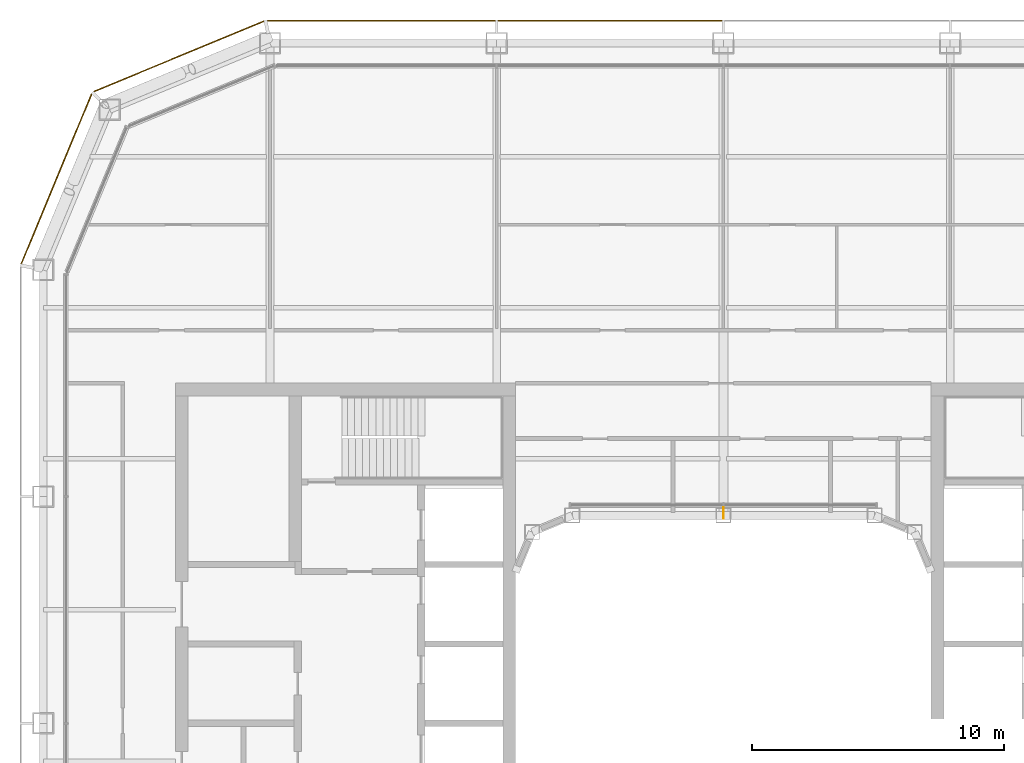
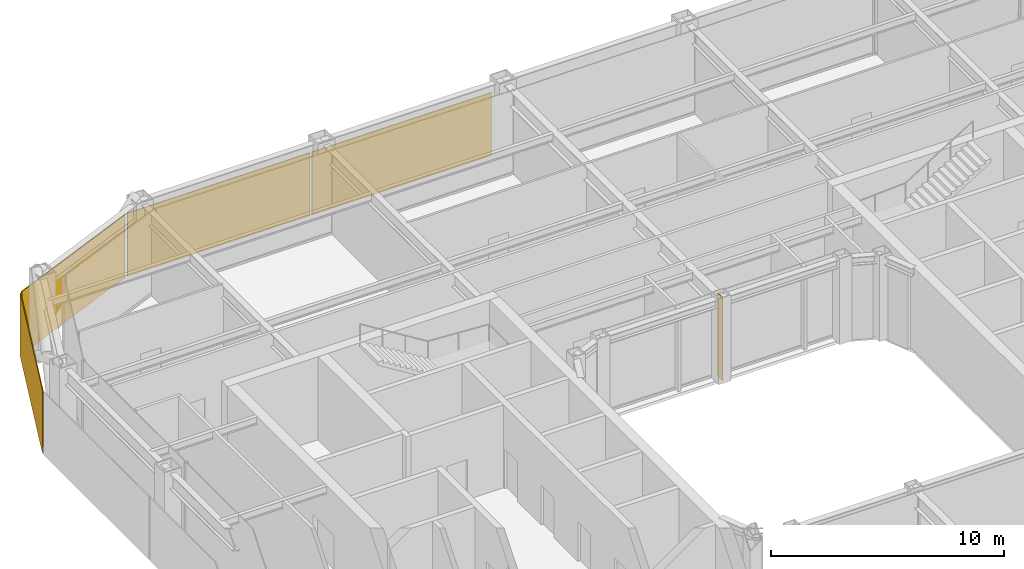
# One storey, part 18 of 19: 4 coverings, 1 shading device.
"""IFC4 building model written with IfcOpenShell, lengths in metres."""

from ifc_helpers import new_model, si_unit, direction, frame, origin, origin_2d, place, context, subcontext, project, spatial, rectangle, extrude, material, layer, layer_set, type_object, element, save


model = new_model("IFC4")

# Units and contexts
model_context = context("Model", 3, precision=1e-05, world=origin(), true_north=direction((0.0, 1.0)))
body_context = subcontext(model_context, "Body", "Model", "MODEL_VIEW")
ifc_project = project(units=[si_unit("LENGTHUNIT", "METRE"), si_unit("AREAUNIT", "SQUARE_METRE"), si_unit("VOLUMEUNIT", "CUBIC_METRE"), si_unit("PLANEANGLEUNIT", "RADIAN"), si_unit("MASSUNIT", "GRAM", prefix="KILO")], contexts=[model_context])

# Site, building, storey
site_placement = place(None, origin())
site = spatial("IfcSite", under=ifc_project, at=site_placement, CompositionType="ELEMENT")
building_placement = place(site_placement, origin())
building = spatial("IfcBuilding", under=site, at=building_placement, Name="Siwar Civic Tower", CompositionType="ELEMENT")
storey_placement = place(building_placement, frame((0.0, 0.0, 192.699951171875)))
storey = spatial("IfcBuildingStorey", under=building, at=storey_placement, Name="L41", CompositionType="ELEMENT", Elevation=192.699951171875)

# Shading device
ifc_material_1 = material(Name="Aluminium 6063-T6", Category="aluminium")
ifc_layer_1 = layer(ifc_material_1, 0.02001953125)
ifc_layer_set_1 = layer_set([ifc_layer_1], Name="Aluminium 6063-T6")
shading_device_type = type_object("IfcShadingDeviceType", Name="ENV-FIN", PredefinedType="JALOUSIE", material=ifc_layer_set_1)
shading_device_placement = place(storey_placement, frame((0.0, 8.344970703125, 0.0), z_axis=(0.0, 0.0, 1.0), x_axis=(-1.0, 0.0, 0.0)))
element("IfcShadingDevice", 1, at=shading_device_placement, inside=storey, type_object=shading_device_type, Name="SUNSHADE fin WN 1", PredefinedType="JALOUSIE", context=body_context, shape_type="SweptSolid", body=[
    extrude(rectangle(XDim=0.02001953125, YDim=0.449951171875, at=origin_2d()), origin(), (0.0, 0.0, 1.0), 4.35009765625),
])

# Coverings
ifc_material_2 = material(Name="Perforated aluminium cassette, pale metal", Category="aluminium")
ifc_layer_2 = layer(ifc_material_2, 0.0400390625)
ifc_layer_set_2 = layer_set([ifc_layer_2], Name="Perforated aluminium cassette, pale metal")
covering_type_1 = type_object("IfcCoveringType", Name="ENV-OUTER SKIN OS-1", PredefinedType="CLADDING", material=ifc_layer_set_2)
covering_1_placement = place(storey_placement, frame((-4.5, 27.89990234375, -0.14990234375), z_axis=(0.0, 0.0, 1.0), x_axis=(-1.0, 0.0, 0.0)))
element("IfcCovering", 2, at=covering_1_placement, inside=storey, type_object=covering_type_1, Name="OUTER SKIN OS-1 N 3", PredefinedType="CLADDING", context=body_context, shape_type="SweptSolid", body=[
    extrude(rectangle(XDim=8.89990234375, YDim=0.0400390625, at=origin_2d()), origin(), (0.0, 0.0, 1.0), 3.300048828125),
])
covering_2_placement = place(storey_placement, frame((-13.57958984375, 27.89990234375, -0.14990234375), z_axis=(0.0, 0.0, 1.0), x_axis=(-1.0, 0.0, 0.0)))
element("IfcCovering", 3, at=covering_2_placement, inside=storey, type_object=covering_type_1, Name="OUTER SKIN OS-1 N 4", PredefinedType="CLADDING", context=body_context, shape_type="SweptSolid", body=[
    extrude(rectangle(XDim=9.05908203125, YDim=0.0400390625, at=origin_2d()), origin(), (0.0, 0.0, 1.0), 3.300048828125),
])
covering_3_placement = place(storey_placement, frame((-21.615966796875, 26.476318359375, -0.14990234375), z_axis=(0.0, 0.0, 1.0), x_axis=(-0.923879532511, -0.382683432365, 0.0)))
element("IfcCovering", 4, at=covering_3_placement, inside=storey, type_object=covering_type_1, Name="OUTER SKIN OS-1 NW1 1", PredefinedType="CLADDING", context=body_context, shape_type="SweptSolid", body=[
    extrude(rectangle(XDim=7.300048828125, YDim=0.0400390625, at=origin_2d()), origin(), (0.0, 0.0, 1.0), 3.300048828125),
])
ifc_material_3 = material(Name="Perforated aluminium cassette, pale metal", Category="aluminium")
ifc_layer_3 = layer(ifc_material_3, 0.044921875)
ifc_layer_set_3 = layer_set([ifc_layer_3], Name="Perforated aluminium cassette, pale metal")
covering_type_2 = type_object("IfcCoveringType", Name="ENV-OUTER SKIN OS-2", PredefinedType="CLADDING", material=ifc_layer_set_3)
covering_4_placement = place(storey_placement, frame((-26.476318359375, 21.615966796875, -0.14990234375), z_axis=(0.0, 0.0, 1.0), x_axis=(-0.382683432365, -0.923879532511, 0.0)))
element("IfcCovering", 5, at=covering_4_placement, inside=storey, type_object=covering_type_2, Name="OUTER SKIN OS-2 NW2 1", PredefinedType="CLADDING", context=body_context, shape_type="SweptSolid", body=[
    extrude(rectangle(XDim=7.300048828125, YDim=0.044921875, at=origin_2d()), origin(), (0.0, 0.0, 1.0), 3.300048828125),
])

save(model, "model.ifc")
